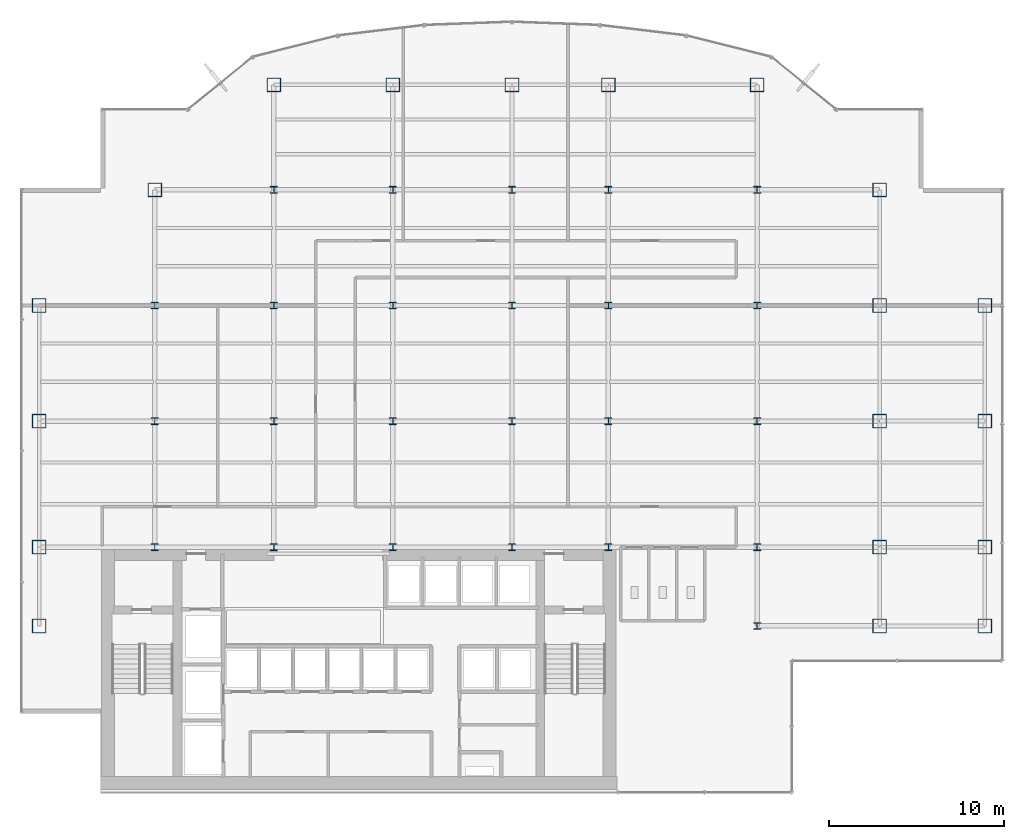
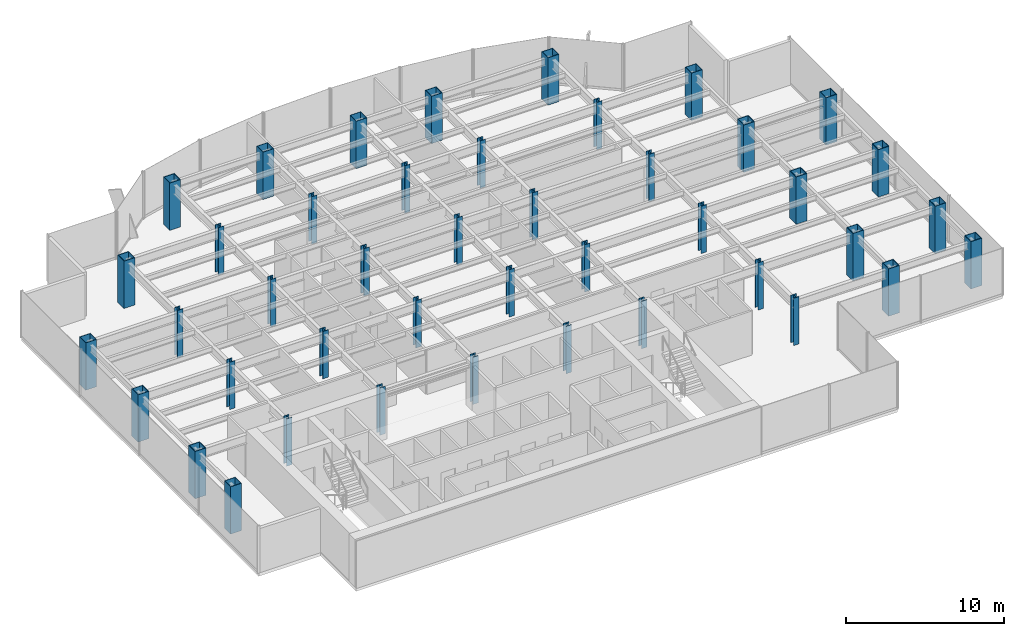
# One storey, part 1 of 26: 43 columns.
"""IFC4 building model written with IfcOpenShell, lengths in metres."""

from ifc_helpers import new_model, si_unit, derived_unit, direction, frame, origin, origin_2d, place, context, subcontext, project, spatial, hollow_rectangle, i_section, extrude, source, transform, mapped, material, material_profile, profile_set, type_object, element, save


model = new_model("IFC4")

# Units and contexts
model_context = context("Model", 3, precision=1e-05, world=origin(), true_north=direction((0.0, 1.0)))
body_context = subcontext(model_context, "Body", "Model", "MODEL_VIEW")
ifc_project = project(units=[si_unit("LENGTHUNIT", "METRE"), si_unit("AREAUNIT", "SQUARE_METRE"), si_unit("VOLUMEUNIT", "CUBIC_METRE"), si_unit("PLANEANGLEUNIT", "RADIAN"), si_unit("MASSUNIT", "GRAM", prefix="KILO"), derived_unit("THERMALTRANSMITTANCEUNIT", [(si_unit("POWERUNIT", "WATT"), 1), (si_unit("LENGTHUNIT", "METRE"), -2), (si_unit("THERMODYNAMICTEMPERATUREUNIT", "KELVIN"), -1)])], contexts=[model_context])

# Site, building, storey
site_placement = place(None, origin())
site = spatial("IfcSite", under=ifc_project, at=site_placement, CompositionType="ELEMENT")
building_placement = place(site_placement, origin())
building = spatial("IfcBuilding", under=site, at=building_placement, Name="Skarnbrae Concourse Arena and Tower", CompositionType="ELEMENT")
storey_placement = place(building_placement, frame((0.0, 0.0, 110.550048828125)))
storey = spatial("IfcBuildingStorey", under=building, at=storey_placement, Name="L27", CompositionType="ELEMENT", Elevation=110.550048828125)

# Columns
ifc_material = material(Name="Steel CSA G40.21 350W", Category="steel")
ifc_material_profile_1 = material_profile(ifc_material, hollow_rectangle(XDim=0.800048828125, YDim=0.800048828125, WallThickness=0.0400390625, at=origin_2d()), Name="BOX800X800X40")
ifc_profile_set_1 = profile_set([ifc_material_profile_1], Name="Steel CSA G40.21 350W")
column_type_1 = type_object("IfcColumnType", Name="COL-TUBE-BOX800", PredefinedType="COLUMN", material=ifc_profile_set_1)
shared_shape_1 = source(origin(), body_context, "Body", "SweptSolid", [
    extrude(hollow_rectangle(XDim=0.800048828125, YDim=0.800048828125, WallThickness=0.0400390625, at=origin_2d()), origin(), (0.0, 0.0, 1.0), 3.64990234375),
])
for number, where, z_axis, x_axis, name in (
    (1, (1.0, 9.5, 0.0), (0.0, 0.0, 1.0), (1.0, 0.0, 0.0), "L27 Tower column PC_01_01"),
    (2, (1.0, 14.0, 0.0), (0.0, 0.0, 1.0), (1.0, 0.0, 0.0), "L27 Tower column PC_01_02"),
    (3, (1.0, 21.199951171875, 0.0), (0.0, 0.0, 1.0), (1.0, 0.0, 0.0), "L27 Tower column PC_01_03"),
    (4, (1.0, 27.800048828125, 0.0), (0.0, 0.0, 1.0), (1.0, 0.0, 0.0), "L27 Tower column PC_01_04"),
    (5, (7.60009765625, 34.39990234375, 0.0), (0.0, 0.0, 1.0), (1.0, 0.0, 0.0), "L27 Tower column PC_02_05"),
    (6, (14.39990234375, 40.39990234375, 0.0), (0.0, 0.0, 1.0), (1.0, 0.0, 0.0), "L27 Tower column PC_03_06"),
    (7, (21.199951171875, 40.39990234375, 0.0), (0.0, 0.0, 1.0), (1.0, 0.0, 0.0), "L27 Tower column PC_04_06"),
    (8, (28.0, 40.39990234375, 0.0), (0.0, 0.0, 1.0), (1.0, 0.0, 0.0), "L27 Tower column PC_05_06"),
    (9, (33.5, 40.39990234375, 0.0), (0.0, 0.0, 1.0), (1.0, 0.0, 0.0), "L27 Tower column PC_06_06"),
    (10, (42.0, 40.39990234375, 0.0), (0.0, 0.0, 1.0), (1.0, 0.0, 0.0), "L27 Tower column PC_07_06"),
    (11, (49.0, 9.5, 0.0), (0.0, 0.0, 1.0), (1.0, 0.0, 0.0), "L27 Tower column PC_08_01"),
    (12, (49.0, 14.0, 0.0), (0.0, 0.0, 1.0), (1.0, 0.0, 0.0), "L27 Tower column PC_08_02"),
    (13, (49.0, 21.199951171875, 0.0), (0.0, 0.0, 1.0), (1.0, 0.0, 0.0), "L27 Tower column PC_08_03"),
    (14, (49.0, 27.800048828125, 0.0), (0.0, 0.0, 1.0), (1.0, 0.0, 0.0), "L27 Tower column PC_08_04"),
    (15, (49.0, 34.39990234375, 0.0), (0.0, 0.0, 1.0), (1.0, 0.0, 0.0), "L27 Tower column PC_08_05"),
    (16, (55.0, 9.5, 0.0), (0.0, 0.0, 1.0), (1.0, 0.0, 0.0), "L27 Tower column PC_09_01"),
    (17, (55.0, 14.0, 0.0), (0.0, 0.0, 1.0), (1.0, 0.0, 0.0), "L27 Tower column PC_09_02"),
    (18, (55.0, 21.199951171875, 0.0), (0.0, 0.0, 1.0), (1.0, 0.0, 0.0), "L27 Tower column PC_09_03"),
    (19, (55.0, 27.800048828125, 0.0), (0.0, 0.0, 1.0), (1.0, 0.0, 0.0), "L27 Tower column PC_09_04"),
):
    element("IfcColumn", number, at=place(storey_placement, frame(where, z_axis=z_axis, x_axis=x_axis)), inside=storey, type_object=column_type_1, Name=name, PredefinedType="COLUMN", context=body_context, shape_type="MappedRepresentation", body=[
        mapped(shared_shape_1, transform((0.0, 0.0, 0.0))),
    ])
ifc_material_profile_2 = material_profile(ifc_material, i_section(OverallWidth=0.39892578125, OverallDepth=0.39306640625, WebThickness=0.022705078125, FlangeThickness=0.03662109375, at=origin_2d()), Name="W360X287")
ifc_profile_set_2 = profile_set([ifc_material_profile_2], Name="Steel CSA G40.21 350W")
column_type_2 = type_object("IfcColumnType", Name="COL-INT-W360X287", PredefinedType="COLUMN", material=ifc_profile_set_2)
shared_shape_2 = source(origin(), body_context, "Body", "SweptSolid", [
    extrude(i_section(OverallWidth=0.39892578125, OverallDepth=0.39306640625, WebThickness=0.022705078125, FlangeThickness=0.03662109375, at=origin_2d()), origin(), (0.0, 0.0, 1.0), 3.64990234375),
])
for number, where, z_axis, x_axis, name in (
    (20, (7.60009765625, 14.0, 0.0), (0.0, 0.0, 1.0), (1.0, 0.0, 0.0), "L27 Tower column IC_02_02"),
    (21, (7.60009765625, 21.199951171875, 0.0), (0.0, 0.0, 1.0), (1.0, 0.0, 0.0), "L27 Tower column IC_02_03"),
    (22, (7.60009765625, 27.800048828125, 0.0), (0.0, 0.0, 1.0), (1.0, 0.0, 0.0), "L27 Tower column IC_02_04"),
    (23, (14.39990234375, 14.0, 0.0), (0.0, 0.0, 1.0), (1.0, 0.0, 0.0), "L27 Tower column IC_03_02"),
    (24, (14.39990234375, 21.199951171875, 0.0), (0.0, 0.0, 1.0), (1.0, 0.0, 0.0), "L27 Tower column IC_03_03"),
    (25, (14.39990234375, 27.800048828125, 0.0), (0.0, 0.0, 1.0), (1.0, 0.0, 0.0), "L27 Tower column IC_03_04"),
    (26, (14.39990234375, 34.39990234375, 0.0), (0.0, 0.0, 1.0), (1.0, 0.0, 0.0), "L27 Tower column IC_03_05"),
    (27, (21.199951171875, 14.0, 0.0), (0.0, 0.0, 1.0), (1.0, 0.0, 0.0), "L27 Tower column IC_04_02"),
    (28, (21.199951171875, 21.199951171875, 0.0), (0.0, 0.0, 1.0), (1.0, 0.0, 0.0), "L27 Tower column IC_04_03"),
    (29, (21.199951171875, 27.800048828125, 0.0), (0.0, 0.0, 1.0), (1.0, 0.0, 0.0), "L27 Tower column IC_04_04"),
    (30, (21.199951171875, 34.39990234375, 0.0), (0.0, 0.0, 1.0), (1.0, 0.0, 0.0), "L27 Tower column IC_04_05"),
    (31, (28.0, 14.0, 0.0), (0.0, 0.0, 1.0), (1.0, 0.0, 0.0), "L27 Tower column IC_05_02"),
    (32, (28.0, 21.199951171875, 0.0), (0.0, 0.0, 1.0), (1.0, 0.0, 0.0), "L27 Tower column IC_05_03"),
    (33, (28.0, 27.800048828125, 0.0), (0.0, 0.0, 1.0), (1.0, 0.0, 0.0), "L27 Tower column IC_05_04"),
    (34, (28.0, 34.39990234375, 0.0), (0.0, 0.0, 1.0), (1.0, 0.0, 0.0), "L27 Tower column IC_05_05"),
    (35, (33.5, 14.0, 0.0), (0.0, 0.0, 1.0), (1.0, 0.0, 0.0), "L27 Tower column IC_06_02"),
    (36, (33.5, 21.199951171875, 0.0), (0.0, 0.0, 1.0), (1.0, 0.0, 0.0), "L27 Tower column IC_06_03"),
    (37, (33.5, 27.800048828125, 0.0), (0.0, 0.0, 1.0), (1.0, 0.0, 0.0), "L27 Tower column IC_06_04"),
    (38, (33.5, 34.39990234375, 0.0), (0.0, 0.0, 1.0), (1.0, 0.0, 0.0), "L27 Tower column IC_06_05"),
    (39, (42.0, 9.5, 0.0), (0.0, 0.0, 1.0), (1.0, 0.0, 0.0), "L27 Tower column IC_07_01"),
    (40, (42.0, 14.0, 0.0), (0.0, 0.0, 1.0), (1.0, 0.0, 0.0), "L27 Tower column IC_07_02"),
    (41, (42.0, 21.199951171875, 0.0), (0.0, 0.0, 1.0), (1.0, 0.0, 0.0), "L27 Tower column IC_07_03"),
    (42, (42.0, 27.800048828125, 0.0), (0.0, 0.0, 1.0), (1.0, 0.0, 0.0), "L27 Tower column IC_07_04"),
    (43, (42.0, 34.39990234375, 0.0), (0.0, 0.0, 1.0), (1.0, 0.0, 0.0), "L27 Tower column IC_07_05"),
):
    element("IfcColumn", number, at=place(storey_placement, frame(where, z_axis=z_axis, x_axis=x_axis)), inside=storey, type_object=column_type_2, Name=name, PredefinedType="COLUMN", context=body_context, shape_type="MappedRepresentation", body=[
        mapped(shared_shape_2, transform((0.0, 0.0, 0.0))),
    ])

save(model, "model.ifc")
